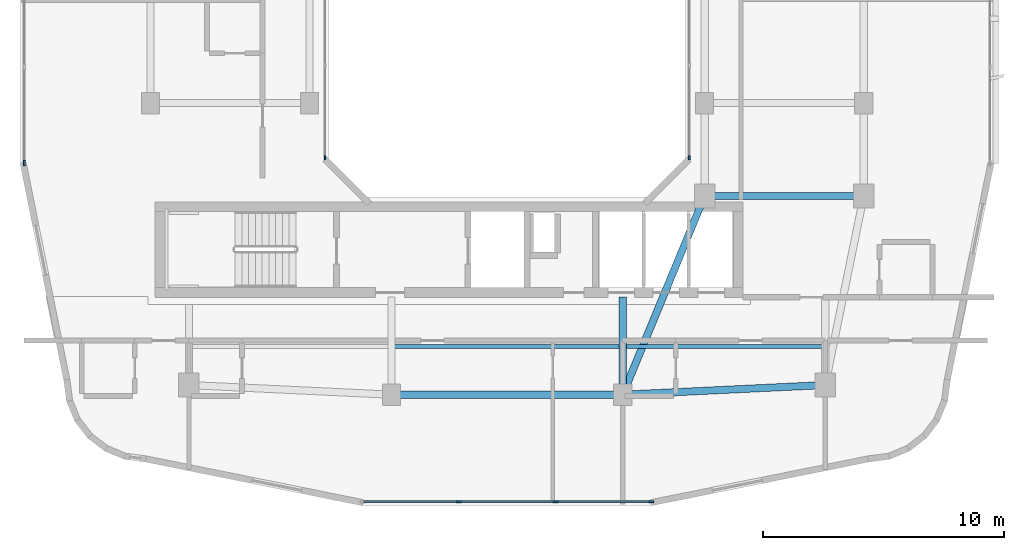
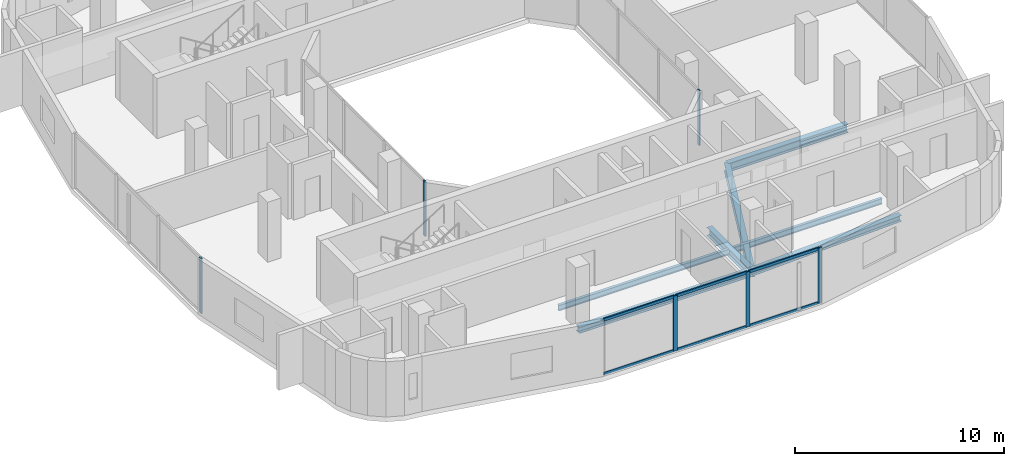
# One storey, part 2 of 14: 12 members, 7 beams, 4 elements without a shape of their own.
"""IFC4 building model written with IfcOpenShell, lengths in metres."""

from ifc_helpers import new_model, si_unit, derived_unit, direction, frame, origin, origin_2d, place, context, subcontext, project, spatial, rectangle, i_section, extrude, material, layer, layer_set, material_profile, profile_set, type_object, element, aggregate, save


model = new_model("IFC4")

# Units and contexts
model_context = context("Model", 3, precision=1e-05, world=origin(), true_north=direction((0.0, 1.0)))
body_context = subcontext(model_context, "Body", "Model", "MODEL_VIEW")
ifc_project = project(units=[si_unit("LENGTHUNIT", "METRE"), si_unit("AREAUNIT", "SQUARE_METRE"), si_unit("VOLUMEUNIT", "CUBIC_METRE"), si_unit("PLANEANGLEUNIT", "RADIAN"), si_unit("MASSUNIT", "GRAM", prefix="KILO"), derived_unit("THERMALTRANSMITTANCEUNIT", [(si_unit("POWERUNIT", "WATT"), 1), (si_unit("LENGTHUNIT", "METRE"), -2), (si_unit("THERMODYNAMICTEMPERATUREUNIT", "KELVIN"), -1)])], contexts=[model_context])

# Site, building, storey
site_placement = place(None, origin())
site = spatial("IfcSite", under=ifc_project, at=site_placement, CompositionType="ELEMENT")
building_placement = place(site_placement, origin())
building = spatial("IfcBuilding", under=site, at=building_placement, Name="Kivonza Crest Hotel", CompositionType="ELEMENT")
storey_placement = place(building_placement, frame((0.0, 0.0, 141.5)))
storey = spatial("IfcBuildingStorey", under=building, at=storey_placement, Name="L38", CompositionType="ELEMENT", Elevation=141.5)

# Beams
ifc_material_1 = material(Name="Steel S355", Category="steel")
ifc_material_profile_1 = material_profile(ifc_material_1, i_section(OverallWidth=0.300048828125, OverallDepth=0.360107421875, WebThickness=0.012451171875, FlangeThickness=0.0224609375, FilletRadius=0.027099609375, at=origin_2d()), Name="HEB 360")
ifc_profile_set_1 = profile_set([ifc_material_profile_1], Name="Steel S355")
beam_type_1 = type_object("IfcBeamType", Name="BM-HEB360", PredefinedType="SPANDREL", material=ifc_profile_set_1)
beam_1_placement = place(storey_placement, frame((16.199951171875, 9.39990234375, -0.4599609375), z_axis=(1.0, 0.0, 0.0), x_axis=(0.0, 1.0, 0.0)))
element("IfcBeam", 1, at=beam_1_placement, inside=storey, type_object=beam_type_1, Name="Tower T1 L38 perimeter spandrel S1-S2", PredefinedType="SPANDREL", context=body_context, shape_type="SweptSolid", body=[
    extrude(i_section(OverallWidth=0.300048828125, OverallDepth=0.360107421875, WebThickness=0.012451171875, FlangeThickness=0.0224609375, FilletRadius=0.027099609375, at=origin_2d()), origin(), (0.0, 0.0, 1.0), 9.60009765625),
])
beam_2_placement = place(storey_placement, frame((25.800048828125, 9.39990234375, -0.4599609375), z_axis=(0.998867283688, 0.047583080799, 0.0), x_axis=(-0.047583080799, 0.998867283688, 0.0)))
element("IfcBeam", 2, at=beam_2_placement, inside=storey, type_object=beam_type_1, Name="Tower T1 L38 perimeter spandrel S2-SE", PredefinedType="SPANDREL", context=body_context, shape_type="SweptSolid", body=[
    extrude(i_section(OverallWidth=0.300048828125, OverallDepth=0.360107421875, WebThickness=0.012451171875, FlangeThickness=0.0224609375, FilletRadius=0.027099609375, at=origin_2d()), origin(), (0.0, 0.0, 1.0), 8.409423828125),
])
ifc_material_profile_2 = material_profile(ifc_material_1, i_section(OverallWidth=0.300048828125, OverallDepth=0.5, WebThickness=0.014404296875, FlangeThickness=0.028076171875, FilletRadius=0.027099609375, at=origin_2d()), Name="HEB 500")
ifc_profile_set_2 = profile_set([ifc_material_profile_2], Name="Steel S355")
beam_type_2 = type_object("IfcBeamType", Name="BM-HEB500", PredefinedType="BEAM", material=ifc_profile_set_2)
beam_3_placement = place(storey_placement, frame((25.800048828125, 9.39990234375, -0.530029296875), z_axis=(0.381022260404, 0.924565864109, 0.0), x_axis=(-0.924565864109, 0.381022260404, 0.0)))
element("IfcBeam", 3, at=beam_3_placement, inside=storey, type_object=beam_type_2, Name="Tower T1 L38 primary girder S1-TSE", PredefinedType="BEAM", context=body_context, shape_type="SweptSolid", body=[
    extrude(i_section(OverallWidth=0.300048828125, OverallDepth=0.5, WebThickness=0.014404296875, FlangeThickness=0.028076171875, FilletRadius=0.027099609375, at=origin_2d()), origin(), (0.0, 0.0, 1.0), 8.923095703125),
])
beam_4_placement = place(storey_placement, frame((29.199951171875, 17.64990234375, -0.530029296875), z_axis=(1.0, 0.0, 0.0), x_axis=(0.0, 1.0, 0.0)))
element("IfcBeam", 4, at=beam_4_placement, inside=storey, type_object=beam_type_2, Name="Tower T1 L38 primary girder TSE-PSE", PredefinedType="BEAM", context=body_context, shape_type="SweptSolid", body=[
    extrude(i_section(OverallWidth=0.300048828125, OverallDepth=0.5, WebThickness=0.014404296875, FlangeThickness=0.028076171875, FilletRadius=0.027099609375, at=origin_2d()), origin(), (0.0, 0.0, 1.0), 6.60009765625),
])
beam_5_placement = place(storey_placement, frame((25.800048828125, 9.39990234375, -0.530029296875), z_axis=(0.0, 1.0, 0.0), x_axis=(-1.0, 0.0, 0.0)))
element("IfcBeam", 5, at=beam_5_placement, inside=storey, type_object=beam_type_2, Name="Tower T1 L38 radial core girder RS2", PredefinedType="BEAM", context=body_context, shape_type="SweptSolid", body=[
    extrude(i_section(OverallWidth=0.300048828125, OverallDepth=0.5, WebThickness=0.014404296875, FlangeThickness=0.028076171875, FilletRadius=0.027099609375, at=origin_2d()), origin(), (0.0, 0.0, 1.0), 4.050048828125),
])
ifc_material_profile_3 = material_profile(ifc_material_1, i_section(OverallWidth=0.159912109375, OverallDepth=0.330078125, WebThickness=0.007568359375, FlangeThickness=0.011474609375, FilletRadius=0.01806640625, at=origin_2d()), Name="IPE 330")
ifc_profile_set_3 = profile_set([ifc_material_profile_3], Name="Steel S355")
beam_type_3 = type_object("IfcBeamType", Name="BM-IPE330", PredefinedType="JOIST", material=ifc_profile_set_3)
beam_6_placement = place(storey_placement, frame((16.280029296875, 11.39990234375, -0.445068359375), z_axis=(1.0, 0.0, 0.0), x_axis=(0.0, 1.0, 0.0)))
element("IfcBeam", 6, at=beam_6_placement, inside=storey, type_object=beam_type_3, Name="Tower T1 L38 South-Mid floor joist", PredefinedType="JOIST", context=body_context, shape_type="SweptSolid", body=[
    extrude(i_section(OverallWidth=0.159912109375, OverallDepth=0.330078125, WebThickness=0.007568359375, FlangeThickness=0.011474609375, FilletRadius=0.01806640625, at=origin_2d()), origin(), (0.0, 0.0, 1.0), 9.43994140625),
])
beam_7_placement = place(storey_placement, frame((25.8798828125, 11.39990234375, -0.445068359375), z_axis=(1.0, 0.0, 0.0), x_axis=(0.0, 1.0, 0.0)))
element("IfcBeam", 7, at=beam_7_placement, inside=storey, type_object=beam_type_3, Name="Tower T1 L38 South-East floor joist", PredefinedType="JOIST", context=body_context, shape_type="SweptSolid", body=[
    extrude(i_section(OverallWidth=0.159912109375, OverallDepth=0.330078125, WebThickness=0.007568359375, FlangeThickness=0.011474609375, FilletRadius=0.01806640625, at=origin_2d()), origin(), (0.0, 0.0, 1.0), 8.240234375),
])

# Curtain wall, member
ifc_material_2 = material(Name="Anodised bronze aluminium and low-E double glazing", Category="aluminium")
ifc_layer_1 = layer(ifc_material_2, 0.159912109375)
ifc_layer_set_1 = layer_set([ifc_layer_1], Name="Anodised bronze aluminium and low-E double glazing")
curtain_wall_type_1 = type_object("IfcCurtainWallType", Name="CW-SYS-5", PredefinedType="NOTDEFINED", material=ifc_layer_set_1)
curtain_wall_1_placement = place(storey_placement, origin())
curtain_wall_1 = element("IfcCurtainWall", 8, at=curtain_wall_1_placement, inside=storey, type_object=curtain_wall_type_1, Name="L38 unitised curtain wall CW-WELL-T1-L38-3", PredefinedType="NOTDEFINED")
ifc_material_3 = material(Name="Anodised bronze aluminium", Category="aluminium")
ifc_material_profile_4 = material_profile(ifc_material_3, rectangle(XDim=0.06494140625, YDim=0.179931640625, at=origin_2d()), Name="CW-M 65x180")
ifc_profile_set_4 = profile_set([ifc_material_profile_4], Name="Anodised bronze aluminium")
member_type_1 = type_object("IfcMemberType", Name="CW-MUL-65x180", PredefinedType="MULLION", material=ifc_profile_set_4)
member_1_placement = place(storey_placement, frame((28.56005859375, 19.232421875, 0.0), z_axis=(0.0, 0.0, 1.0), x_axis=(-1.0, 0.0, 0.0)))
member_1 = element("IfcMember", 9, at=member_1_placement, type_object=member_type_1, Name="CW-5 mullion 1", PredefinedType="MULLION", context=body_context, shape_type="SweptSolid", body=[
    extrude(rectangle(XDim=0.06494140625, YDim=0.179931640625, at=origin_2d()), origin(), (0.0, 0.0, 1.0), 3.219970703125),
])
aggregate(curtain_wall_1, [member_1])

curtain_wall_2_placement = place(storey_placement, origin())
curtain_wall_2 = element("IfcCurtainWall", 10, at=curtain_wall_2_placement, inside=storey, type_object=curtain_wall_type_1, Name="L38 unitised curtain wall CW-WELL-T1-L38-7", PredefinedType="NOTDEFINED")
member_2_placement = place(storey_placement, frame((13.43994140625, 19.232421875, 0.0), z_axis=(0.0, 0.0, 1.0), x_axis=(1.0, 0.0, 0.0)))
member_2 = element("IfcMember", 11, at=member_2_placement, type_object=member_type_1, Name="CW-5 mullion 4", PredefinedType="MULLION", context=body_context, shape_type="SweptSolid", body=[
    extrude(rectangle(XDim=0.06494140625, YDim=0.179931640625, at=origin_2d()), origin(), (0.0, 0.0, 1.0), 3.219970703125),
])
aggregate(curtain_wall_2, [member_2])

# Curtain wall, members
ifc_layer_2 = layer(ifc_material_2, 0.179931640625)
ifc_layer_set_2 = layer_set([ifc_layer_2], Name="Anodised bronze aluminium and low-E double glazing")
curtain_wall_type_2 = type_object("IfcCurtainWallType", Name="CW-SYS-3", PredefinedType="NOTDEFINED", material=ifc_layer_set_2)
curtain_wall_3_placement = place(storey_placement, origin())
curtain_wall_3 = element("IfcCurtainWall", 12, at=curtain_wall_3_placement, inside=storey, type_object=curtain_wall_type_2, Name="L38 unitised curtain wall CW-T1-L38-08", PredefinedType="NOTDEFINED")
ifc_material_profile_5 = material_profile(ifc_material_3, rectangle(XDim=0.074951171875, YDim=0.219970703125, at=origin_2d()), Name="CW-M 75x220")
ifc_profile_set_5 = profile_set([ifc_material_profile_5], Name="Anodised bronze aluminium")
member_type_2 = type_object("IfcMemberType", Name="CW-MUL-75x220", PredefinedType="MULLION", material=ifc_profile_set_5)
member_3_placement = place(storey_placement, frame((18.993408203125, 4.9599609375, 0.0), z_axis=(0.0, 0.0, 1.0), x_axis=(0.0, 1.0, 0.0)))
member_3 = element("IfcMember", 13, at=member_3_placement, type_object=member_type_2, Name="CW-3 mullion 2", PredefinedType="MULLION", context=body_context, shape_type="SweptSolid", body=[
    extrude(rectangle(XDim=0.074951171875, YDim=0.219970703125, at=origin_2d()), origin(), (0.0, 0.0, 1.0), 3.219970703125),
])
member_4_placement = place(storey_placement, frame((23.006591796875, 4.9599609375, 0.0), z_axis=(0.0, 0.0, 1.0), x_axis=(0.0, 1.0, 0.0)))
member_4 = element("IfcMember", 14, at=member_4_placement, type_object=member_type_2, Name="CW-3 mullion 3", PredefinedType="MULLION", context=body_context, shape_type="SweptSolid", body=[
    extrude(rectangle(XDim=0.074951171875, YDim=0.219970703125, at=origin_2d()), origin(), (0.0, 0.0, 1.0), 3.219970703125),
])
member_5_placement = place(storey_placement, frame((26.982421875, 4.9599609375, 0.0), z_axis=(0.0, 0.0, 1.0), x_axis=(0.0, 1.0, 0.0)))
member_5 = element("IfcMember", 15, at=member_5_placement, type_object=member_type_2, Name="CW-3 mullion 4", PredefinedType="MULLION", context=body_context, shape_type="SweptSolid", body=[
    extrude(rectangle(XDim=0.074951171875, YDim=0.219970703125, at=origin_2d()), origin(), (0.0, 0.0, 1.0), 3.219970703125),
])

# Curtain wall, member
curtain_wall_4_placement = place(storey_placement, origin())
curtain_wall_4 = element("IfcCurtainWall", 16, at=curtain_wall_4_placement, inside=storey, type_object=curtain_wall_type_2, Name="L38 unitised curtain wall CW-T1-L38-35", PredefinedType="NOTDEFINED")
member_6_placement = place(storey_placement, frame((0.9599609375, 19.017578125, 0.0), z_axis=(0.0, 0.0, 1.0), x_axis=(1.0, 0.0, 0.0)))
member_6 = element("IfcMember", 17, at=member_6_placement, type_object=member_type_2, Name="CW-3 mullion 4", PredefinedType="MULLION", context=body_context, shape_type="SweptSolid", body=[
    extrude(rectangle(XDim=0.074951171875, YDim=0.219970703125, at=origin_2d()), origin(), (0.0, 0.0, 1.0), 3.219970703125),
])
aggregate(curtain_wall_4, [member_6])

# Member
ifc_material_profile_6 = material_profile(ifc_material_3, rectangle(XDim=0.074951171875, YDim=0.159912109375, at=origin_2d()), Name="CW-T 75x160")
ifc_profile_set_6 = profile_set([ifc_material_profile_6], Name="Anodised bronze aluminium")
member_type_3 = type_object("IfcMemberType", Name="CW-TRN-75x160", PredefinedType="USERDEFINED", material=ifc_profile_set_6)
member_7_placement = place(storey_placement, frame((15.054931640625, 4.9599609375, 0.03759765625), z_axis=(1.0, 0.0, 0.0), x_axis=(0.0, 1.0, 0.0)))
member_7 = element("IfcMember", 18, at=member_7_placement, type_object=member_type_3, Name="CW-3 transom 1.1", ObjectType="TRANSOM", PredefinedType="USERDEFINED", context=body_context, shape_type="SweptSolid", body=[
    extrude(rectangle(XDim=0.074951171875, YDim=0.159912109375, at=origin_2d()), origin(), (0.0, 0.0, 1.0), 3.90087890625),
])

member_8_placement = place(storey_placement, frame((15.054931640625, 4.9599609375, 3.1826171875), z_axis=(1.0, 0.0, 0.0), x_axis=(0.0, 1.0, 0.0)))
member_8 = element("IfcMember", 19, at=member_8_placement, type_object=member_type_3, Name="CW-3 transom 1.2", ObjectType="TRANSOM", PredefinedType="USERDEFINED", context=body_context, shape_type="SweptSolid", body=[
    extrude(rectangle(XDim=0.074951171875, YDim=0.159912109375, at=origin_2d()), origin(), (0.0, 0.0, 1.0), 3.90087890625),
])

member_9_placement = place(storey_placement, frame((19.03076171875, 4.9599609375, 0.03759765625), z_axis=(1.0, 0.0, 0.0), x_axis=(0.0, 1.0, 0.0)))
member_9 = element("IfcMember", 20, at=member_9_placement, type_object=member_type_3, Name="CW-3 transom 2.1", ObjectType="TRANSOM", PredefinedType="USERDEFINED", context=body_context, shape_type="SweptSolid", body=[
    extrude(rectangle(XDim=0.074951171875, YDim=0.159912109375, at=origin_2d()), origin(), (0.0, 0.0, 1.0), 3.9384765625),
])

member_10_placement = place(storey_placement, frame((19.03076171875, 4.9599609375, 3.1826171875), z_axis=(1.0, 0.0, 0.0), x_axis=(0.0, 1.0, 0.0)))
member_10 = element("IfcMember", 21, at=member_10_placement, type_object=member_type_3, Name="CW-3 transom 2.2", ObjectType="TRANSOM", PredefinedType="USERDEFINED", context=body_context, shape_type="SweptSolid", body=[
    extrude(rectangle(XDim=0.074951171875, YDim=0.159912109375, at=origin_2d()), origin(), (0.0, 0.0, 1.0), 3.9384765625),
])

member_11_placement = place(storey_placement, frame((23.044189453125, 4.9599609375, 0.03759765625), z_axis=(1.0, 0.0, 0.0), x_axis=(0.0, 1.0, 0.0)))
member_11 = element("IfcMember", 22, at=member_11_placement, type_object=member_type_3, Name="CW-3 transom 3.1", ObjectType="TRANSOM", PredefinedType="USERDEFINED", context=body_context, shape_type="SweptSolid", body=[
    extrude(rectangle(XDim=0.074951171875, YDim=0.159912109375, at=origin_2d()), origin(), (0.0, 0.0, 1.0), 3.90087890625),
])

member_12_placement = place(storey_placement, frame((23.044189453125, 4.9599609375, 3.1826171875), z_axis=(1.0, 0.0, 0.0), x_axis=(0.0, 1.0, 0.0)))
member_12 = element("IfcMember", 23, at=member_12_placement, type_object=member_type_3, Name="CW-3 transom 3.2", ObjectType="TRANSOM", PredefinedType="USERDEFINED", context=body_context, shape_type="SweptSolid", body=[
    extrude(rectangle(XDim=0.074951171875, YDim=0.159912109375, at=origin_2d()), origin(), (0.0, 0.0, 1.0), 3.90087890625),
])

aggregate(curtain_wall_3, [member_3, member_4, member_5, member_7, member_8, member_9, member_10, member_11, member_12])

save(model, "model.ifc")
